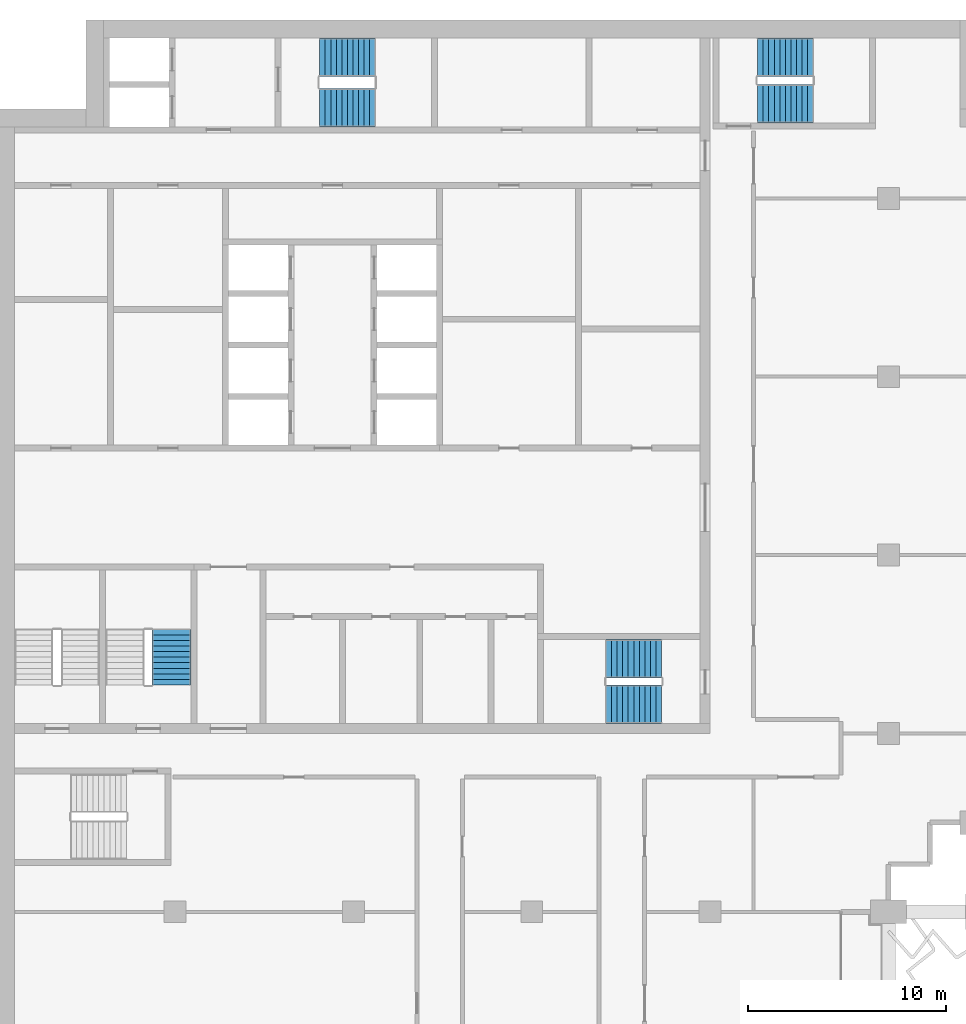
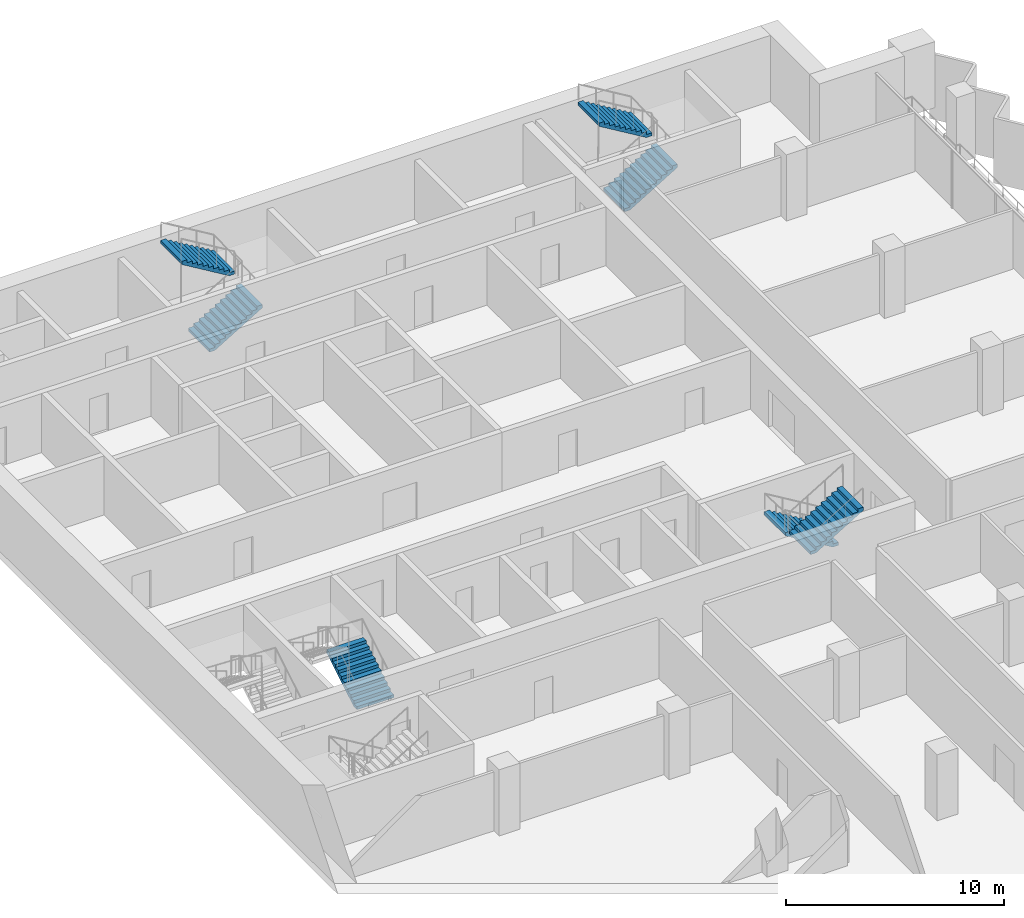
# One storey, part 13 of 17: 7 stair flights, 4 elements without a shape of their own.
"""IFC4 building model written with IfcOpenShell, lengths in metres."""

from ifc_helpers import new_model, si_unit, direction, frame, origin, place, context, subcontext, project, spatial, polyline, outline, extrude, material, type_object, element, aggregate, save


model = new_model("IFC4")

# Units and contexts
model_context = context("Model", 3, precision=1e-05, world=origin(), true_north=direction((0.0, 1.0)))
body_context = subcontext(model_context, "Body", "Model", "MODEL_VIEW")
ifc_project = project(units=[si_unit("LENGTHUNIT", "METRE"), si_unit("AREAUNIT", "SQUARE_METRE"), si_unit("VOLUMEUNIT", "CUBIC_METRE"), si_unit("PLANEANGLEUNIT", "RADIAN"), si_unit("MASSUNIT", "GRAM", prefix="KILO")], contexts=[model_context])

# Site, building, storey
site_placement = place(None, origin())
site = spatial("IfcSite", under=ifc_project, at=site_placement, CompositionType="ELEMENT")
building_placement = place(site_placement, origin())
building = spatial("IfcBuilding", under=site, at=building_placement, Name="Hunhe Ridgeline Campus", CompositionType="ELEMENT")
storey_placement = place(building_placement, frame((0.0, 0.0, 208.699951171875)))
storey = spatial("IfcBuildingStorey", under=building, at=storey_placement, Name="L53", CompositionType="ELEMENT", Elevation=208.699951171875)

# Stair, stair flights
ifc_material = material(Name="Concrete C40", Category="concrete")
stair_type = type_object("IfcStairType", Name="Reinforced concrete dog-leg stair 1950 Concrete C40", PredefinedType="HALF_TURN_STAIR", material=ifc_material)
stair_1_placement = place(storey_placement, origin())
stair_1 = element("IfcStair", 1, at=stair_1_placement, inside=storey, type_object=stair_type, Name="L53 S1", PredefinedType="HALF_TURN_STAIR")
stair_flight_type = type_object("IfcStairFlightType", Name="Reinforced concrete stair flight 1950 Concrete C40", PredefinedType="STRAIGHT", material=ifc_material)
stair_flight_1_placement = place(storey_placement, frame((16.300048828125, 94.574951171875, 0.0), z_axis=(0.0, 0.0, 1.0), x_axis=(1.0, 0.0, 0.0)))
stair_flight_1 = element("IfcStairFlight", 2, at=stair_flight_1_placement, type_object=stair_flight_type, Name="ST1 flight 1", NumberOfRisers=11, NumberOfTreads=10, PredefinedType="STRAIGHT", RiserHeight=0.168181818, TreadLength=0.28, context=body_context, shape_type="SweptSolid", body=[
    extrude(outline(polyline([(0.0, 0.0), (0.0, 0.168212890625), (0.280029296875, 0.168212890625), (0.280029296875, 0.33642578125), (0.56005859375, 0.33642578125), (0.56005859375, 0.504638671875), (0.840087890625, 0.504638671875), (0.840087890625, 0.672607421875), (1.1201171875, 0.672607421875), (1.1201171875, 0.8408203125), (1.39990234375, 0.8408203125), (1.39990234375, 1.009033203125), (1.679931640625, 1.009033203125), (1.679931640625, 1.17724609375), (1.9599609375, 1.17724609375), (1.9599609375, 1.345458984375), (2.239990234375, 1.345458984375), (2.239990234375, 1.513671875), (2.52001953125, 1.513671875), (2.52001953125, 1.681884765625), (2.800048828125, 1.681884765625), (2.800048828125, 1.85009765625), (2.800048828125, 1.5068359375), (0.291015625, 0.0), (0.0, 0.0)])), frame((0.0, 0.97509765625, 0.0), z_axis=(0.0, -1.0, 0.0), x_axis=(1.0, 0.0, 0.0)), (0.0, 0.0, 1.0), 1.949951171875),
    extrude(outline(polyline([(0.030029296875, 0.030029296875), (0.030029296875, 0.13818359375), (0.31005859375, 0.13818359375), (0.31005859375, 0.306396484375), (0.590087890625, 0.306396484375), (0.590087890625, 0.474609375), (0.8701171875, 0.474609375), (0.8701171875, 0.642578125), (1.14990234375, 0.642578125), (1.14990234375, 0.810791015625), (1.429931640625, 0.810791015625), (1.429931640625, 0.97900390625), (1.7099609375, 0.97900390625), (1.7099609375, 1.147216796875), (1.989990234375, 1.147216796875), (1.989990234375, 1.3154296875), (2.27001953125, 1.3154296875), (2.27001953125, 1.483642578125), (2.550048828125, 1.483642578125), (2.550048828125, 1.65185546875), (2.77001953125, 1.65185546875), (2.77001953125, 1.52392578125), (0.28271484375, 0.030029296875), (0.030029296875, 0.030029296875)])), frame((0.0, -0.070068359375, 0.0), z_axis=(0.0, -1.0, 0.0), x_axis=(1.0, 0.0, 0.0)), (0.0, 0.0, 1.0), 0.019775390625),
    extrude(outline(polyline([(0.030029296875, 0.030029296875), (0.030029296875, 0.13818359375), (0.31005859375, 0.13818359375), (0.31005859375, 0.306396484375), (0.590087890625, 0.306396484375), (0.590087890625, 0.474609375), (0.8701171875, 0.474609375), (0.8701171875, 0.642578125), (1.14990234375, 0.642578125), (1.14990234375, 0.810791015625), (1.429931640625, 0.810791015625), (1.429931640625, 0.97900390625), (1.7099609375, 0.97900390625), (1.7099609375, 1.147216796875), (1.989990234375, 1.147216796875), (1.989990234375, 1.3154296875), (2.27001953125, 1.3154296875), (2.27001953125, 1.483642578125), (2.550048828125, 1.483642578125), (2.550048828125, 1.65185546875), (2.77001953125, 1.65185546875), (2.77001953125, 1.52392578125), (0.28271484375, 0.030029296875), (0.030029296875, 0.030029296875)])), frame((0.0, 0.010009765625, 0.0), z_axis=(0.0, -1.0, 0.0), x_axis=(1.0, 0.0, 0.0)), (0.0, 0.0, 1.0), 0.019775390625),
    extrude(outline(polyline([(0.030029296875, 0.030029296875), (0.030029296875, 0.13818359375), (0.31005859375, 0.13818359375), (0.31005859375, 0.306396484375), (0.590087890625, 0.306396484375), (0.590087890625, 0.474609375), (0.8701171875, 0.474609375), (0.8701171875, 0.642578125), (1.14990234375, 0.642578125), (1.14990234375, 0.810791015625), (1.429931640625, 0.810791015625), (1.429931640625, 0.97900390625), (1.7099609375, 0.97900390625), (1.7099609375, 1.147216796875), (1.989990234375, 1.147216796875), (1.989990234375, 1.3154296875), (2.27001953125, 1.3154296875), (2.27001953125, 1.483642578125), (2.550048828125, 1.483642578125), (2.550048828125, 1.65185546875), (2.77001953125, 1.65185546875), (2.77001953125, 1.52392578125), (0.28271484375, 0.030029296875), (0.030029296875, 0.030029296875)])), frame((0.0, 0.090087890625, 0.0), z_axis=(0.0, -1.0, 0.0), x_axis=(1.0, 0.0, 0.0)), (0.0, 0.0, 1.0), 0.019775390625),
])
stair_flight_2_placement = place(storey_placement, frame((19.10009765625, 97.125, 1.85009765625), z_axis=(0.0, 0.0, 1.0), x_axis=(-1.0, 0.0, 0.0)))
stair_flight_2 = element("IfcStairFlight", 3, at=stair_flight_2_placement, type_object=stair_flight_type, Name="ST1 flight 2", NumberOfRisers=11, NumberOfTreads=10, PredefinedType="STRAIGHT", RiserHeight=0.168181818, TreadLength=0.28, context=body_context, shape_type="SweptSolid", body=[
    extrude(outline(polyline([(0.0, 0.0), (0.0, 0.168212890625), (0.280029296875, 0.168212890625), (0.280029296875, 0.33642578125), (0.56005859375, 0.33642578125), (0.56005859375, 0.504638671875), (0.840087890625, 0.504638671875), (0.840087890625, 0.672607421875), (1.1201171875, 0.672607421875), (1.1201171875, 0.8408203125), (1.39990234375, 0.8408203125), (1.39990234375, 1.009033203125), (1.679931640625, 1.009033203125), (1.679931640625, 1.17724609375), (1.9599609375, 1.17724609375), (1.9599609375, 1.345458984375), (2.239990234375, 1.345458984375), (2.239990234375, 1.513671875), (2.52001953125, 1.513671875), (2.52001953125, 1.681884765625), (2.800048828125, 1.681884765625), (2.800048828125, 1.85009765625), (2.800048828125, 1.5068359375), (0.291015625, 0.0), (0.0, 0.0)])), frame((0.0, 0.97509765625, 0.0), z_axis=(0.0, -1.0, 0.0), x_axis=(1.0, 0.0, 0.0)), (0.0, 0.0, 1.0), 1.949951171875),
    extrude(outline(polyline([(0.030029296875, 0.030029296875), (0.030029296875, 0.13818359375), (0.31005859375, 0.13818359375), (0.31005859375, 0.306396484375), (0.590087890625, 0.306396484375), (0.590087890625, 0.474609375), (0.8701171875, 0.474609375), (0.8701171875, 0.642578125), (1.14990234375, 0.642578125), (1.14990234375, 0.810791015625), (1.429931640625, 0.810791015625), (1.429931640625, 0.97900390625), (1.7099609375, 0.97900390625), (1.7099609375, 1.147216796875), (1.989990234375, 1.147216796875), (1.989990234375, 1.3154296875), (2.27001953125, 1.3154296875), (2.27001953125, 1.483642578125), (2.550048828125, 1.483642578125), (2.550048828125, 1.65185546875), (2.77001953125, 1.65185546875), (2.77001953125, 1.52392578125), (0.28271484375, 0.030029296875), (0.030029296875, 0.030029296875)])), frame((0.0, -0.070068359375, 0.0), z_axis=(0.0, -1.0, 0.0), x_axis=(1.0, 0.0, 0.0)), (0.0, 0.0, 1.0), 0.019775390625),
    extrude(outline(polyline([(0.030029296875, 0.030029296875), (0.030029296875, 0.13818359375), (0.31005859375, 0.13818359375), (0.31005859375, 0.306396484375), (0.590087890625, 0.306396484375), (0.590087890625, 0.474609375), (0.8701171875, 0.474609375), (0.8701171875, 0.642578125), (1.14990234375, 0.642578125), (1.14990234375, 0.810791015625), (1.429931640625, 0.810791015625), (1.429931640625, 0.97900390625), (1.7099609375, 0.97900390625), (1.7099609375, 1.147216796875), (1.989990234375, 1.147216796875), (1.989990234375, 1.3154296875), (2.27001953125, 1.3154296875), (2.27001953125, 1.483642578125), (2.550048828125, 1.483642578125), (2.550048828125, 1.65185546875), (2.77001953125, 1.65185546875), (2.77001953125, 1.52392578125), (0.28271484375, 0.030029296875), (0.030029296875, 0.030029296875)])), frame((0.0, 0.010009765625, 0.0), z_axis=(0.0, -1.0, 0.0), x_axis=(1.0, 0.0, 0.0)), (0.0, 0.0, 1.0), 0.019775390625),
    extrude(outline(polyline([(0.030029296875, 0.030029296875), (0.030029296875, 0.13818359375), (0.31005859375, 0.13818359375), (0.31005859375, 0.306396484375), (0.590087890625, 0.306396484375), (0.590087890625, 0.474609375), (0.8701171875, 0.474609375), (0.8701171875, 0.642578125), (1.14990234375, 0.642578125), (1.14990234375, 0.810791015625), (1.429931640625, 0.810791015625), (1.429931640625, 0.97900390625), (1.7099609375, 0.97900390625), (1.7099609375, 1.147216796875), (1.989990234375, 1.147216796875), (1.989990234375, 1.3154296875), (2.27001953125, 1.3154296875), (2.27001953125, 1.483642578125), (2.550048828125, 1.483642578125), (2.550048828125, 1.65185546875), (2.77001953125, 1.65185546875), (2.77001953125, 1.52392578125), (0.28271484375, 0.030029296875), (0.030029296875, 0.030029296875)])), frame((0.0, 0.090087890625, 0.0), z_axis=(0.0, -1.0, 0.0), x_axis=(1.0, 0.0, 0.0)), (0.0, 0.0, 1.0), 0.019775390625),
])
aggregate(stair_1, [stair_flight_1, stair_flight_2])

stair_2_placement = place(storey_placement, origin())
stair_2 = element("IfcStair", 4, at=stair_2_placement, inside=storey, type_object=stair_type, Name="L53 S2", PredefinedType="HALF_TURN_STAIR")
stair_flight_3_placement = place(storey_placement, frame((33.550048828125, 66.77490234375, 0.0), z_axis=(0.0, 0.0, 1.0), x_axis=(-1.0, 0.0, 0.0)))
stair_flight_3 = element("IfcStairFlight", 5, at=stair_flight_3_placement, type_object=stair_flight_type, Name="ST2 flight 1", NumberOfRisers=11, NumberOfTreads=10, PredefinedType="STRAIGHT", RiserHeight=0.168181818, TreadLength=0.28, context=body_context, shape_type="SweptSolid", body=[
    extrude(outline(polyline([(0.0, 0.0), (0.0, 0.168212890625), (0.280029296875, 0.168212890625), (0.280029296875, 0.33642578125), (0.56005859375, 0.33642578125), (0.56005859375, 0.504638671875), (0.840087890625, 0.504638671875), (0.840087890625, 0.672607421875), (1.1201171875, 0.672607421875), (1.1201171875, 0.8408203125), (1.39990234375, 0.8408203125), (1.39990234375, 1.009033203125), (1.679931640625, 1.009033203125), (1.679931640625, 1.17724609375), (1.9599609375, 1.17724609375), (1.9599609375, 1.345458984375), (2.239990234375, 1.345458984375), (2.239990234375, 1.513671875), (2.52001953125, 1.513671875), (2.52001953125, 1.681884765625), (2.800048828125, 1.681884765625), (2.800048828125, 1.85009765625), (2.800048828125, 1.5068359375), (0.291015625, 0.0), (0.0, 0.0)])), frame((0.0, 0.97509765625, 0.0), z_axis=(0.0, -1.0, 0.0), x_axis=(1.0, 0.0, 0.0)), (0.0, 0.0, 1.0), 1.949951171875),
    extrude(outline(polyline([(0.030029296875, 0.030029296875), (0.030029296875, 0.13818359375), (0.31005859375, 0.13818359375), (0.31005859375, 0.306396484375), (0.590087890625, 0.306396484375), (0.590087890625, 0.474609375), (0.8701171875, 0.474609375), (0.8701171875, 0.642578125), (1.14990234375, 0.642578125), (1.14990234375, 0.810791015625), (1.429931640625, 0.810791015625), (1.429931640625, 0.97900390625), (1.7099609375, 0.97900390625), (1.7099609375, 1.147216796875), (1.989990234375, 1.147216796875), (1.989990234375, 1.3154296875), (2.27001953125, 1.3154296875), (2.27001953125, 1.483642578125), (2.550048828125, 1.483642578125), (2.550048828125, 1.65185546875), (2.77001953125, 1.65185546875), (2.77001953125, 1.52392578125), (0.28271484375, 0.030029296875), (0.030029296875, 0.030029296875)])), frame((0.0, -0.070068359375, 0.0), z_axis=(0.0, -1.0, 0.0), x_axis=(1.0, 0.0, 0.0)), (0.0, 0.0, 1.0), 0.019775390625),
    extrude(outline(polyline([(0.030029296875, 0.030029296875), (0.030029296875, 0.13818359375), (0.31005859375, 0.13818359375), (0.31005859375, 0.306396484375), (0.590087890625, 0.306396484375), (0.590087890625, 0.474609375), (0.8701171875, 0.474609375), (0.8701171875, 0.642578125), (1.14990234375, 0.642578125), (1.14990234375, 0.810791015625), (1.429931640625, 0.810791015625), (1.429931640625, 0.97900390625), (1.7099609375, 0.97900390625), (1.7099609375, 1.147216796875), (1.989990234375, 1.147216796875), (1.989990234375, 1.3154296875), (2.27001953125, 1.3154296875), (2.27001953125, 1.483642578125), (2.550048828125, 1.483642578125), (2.550048828125, 1.65185546875), (2.77001953125, 1.65185546875), (2.77001953125, 1.52392578125), (0.28271484375, 0.030029296875), (0.030029296875, 0.030029296875)])), frame((0.0, 0.010009765625, 0.0), z_axis=(0.0, -1.0, 0.0), x_axis=(1.0, 0.0, 0.0)), (0.0, 0.0, 1.0), 0.019775390625),
    extrude(outline(polyline([(0.030029296875, 0.030029296875), (0.030029296875, 0.13818359375), (0.31005859375, 0.13818359375), (0.31005859375, 0.306396484375), (0.590087890625, 0.306396484375), (0.590087890625, 0.474609375), (0.8701171875, 0.474609375), (0.8701171875, 0.642578125), (1.14990234375, 0.642578125), (1.14990234375, 0.810791015625), (1.429931640625, 0.810791015625), (1.429931640625, 0.97900390625), (1.7099609375, 0.97900390625), (1.7099609375, 1.147216796875), (1.989990234375, 1.147216796875), (1.989990234375, 1.3154296875), (2.27001953125, 1.3154296875), (2.27001953125, 1.483642578125), (2.550048828125, 1.483642578125), (2.550048828125, 1.65185546875), (2.77001953125, 1.65185546875), (2.77001953125, 1.52392578125), (0.28271484375, 0.030029296875), (0.030029296875, 0.030029296875)])), frame((0.0, 0.090087890625, 0.0), z_axis=(0.0, -1.0, 0.0), x_axis=(1.0, 0.0, 0.0)), (0.0, 0.0, 1.0), 0.019775390625),
])
stair_flight_4_placement = place(storey_placement, frame((30.75, 64.47509765625, 1.85009765625), z_axis=(0.0, 0.0, 1.0), x_axis=(1.0, 0.0, 0.0)))
stair_flight_4 = element("IfcStairFlight", 6, at=stair_flight_4_placement, type_object=stair_flight_type, Name="ST2 flight 2", NumberOfRisers=11, NumberOfTreads=10, PredefinedType="STRAIGHT", RiserHeight=0.168181818, TreadLength=0.28, context=body_context, shape_type="SweptSolid", body=[
    extrude(outline(polyline([(0.0, 0.0), (0.0, 0.168212890625), (0.280029296875, 0.168212890625), (0.280029296875, 0.33642578125), (0.56005859375, 0.33642578125), (0.56005859375, 0.504638671875), (0.840087890625, 0.504638671875), (0.840087890625, 0.672607421875), (1.1201171875, 0.672607421875), (1.1201171875, 0.8408203125), (1.39990234375, 0.8408203125), (1.39990234375, 1.009033203125), (1.679931640625, 1.009033203125), (1.679931640625, 1.17724609375), (1.9599609375, 1.17724609375), (1.9599609375, 1.345458984375), (2.239990234375, 1.345458984375), (2.239990234375, 1.513671875), (2.52001953125, 1.513671875), (2.52001953125, 1.681884765625), (2.800048828125, 1.681884765625), (2.800048828125, 1.85009765625), (2.800048828125, 1.5068359375), (0.291015625, 0.0), (0.0, 0.0)])), frame((0.0, 0.97509765625, 0.0), z_axis=(0.0, -1.0, 0.0), x_axis=(1.0, 0.0, 0.0)), (0.0, 0.0, 1.0), 1.949951171875),
    extrude(outline(polyline([(0.030029296875, 0.030029296875), (0.030029296875, 0.13818359375), (0.31005859375, 0.13818359375), (0.31005859375, 0.306396484375), (0.590087890625, 0.306396484375), (0.590087890625, 0.474609375), (0.8701171875, 0.474609375), (0.8701171875, 0.642578125), (1.14990234375, 0.642578125), (1.14990234375, 0.810791015625), (1.429931640625, 0.810791015625), (1.429931640625, 0.97900390625), (1.7099609375, 0.97900390625), (1.7099609375, 1.147216796875), (1.989990234375, 1.147216796875), (1.989990234375, 1.3154296875), (2.27001953125, 1.3154296875), (2.27001953125, 1.483642578125), (2.550048828125, 1.483642578125), (2.550048828125, 1.65185546875), (2.77001953125, 1.65185546875), (2.77001953125, 1.52392578125), (0.28271484375, 0.030029296875), (0.030029296875, 0.030029296875)])), frame((0.0, -0.070068359375, 0.0), z_axis=(0.0, -1.0, 0.0), x_axis=(1.0, 0.0, 0.0)), (0.0, 0.0, 1.0), 0.019775390625),
    extrude(outline(polyline([(0.030029296875, 0.030029296875), (0.030029296875, 0.13818359375), (0.31005859375, 0.13818359375), (0.31005859375, 0.306396484375), (0.590087890625, 0.306396484375), (0.590087890625, 0.474609375), (0.8701171875, 0.474609375), (0.8701171875, 0.642578125), (1.14990234375, 0.642578125), (1.14990234375, 0.810791015625), (1.429931640625, 0.810791015625), (1.429931640625, 0.97900390625), (1.7099609375, 0.97900390625), (1.7099609375, 1.147216796875), (1.989990234375, 1.147216796875), (1.989990234375, 1.3154296875), (2.27001953125, 1.3154296875), (2.27001953125, 1.483642578125), (2.550048828125, 1.483642578125), (2.550048828125, 1.65185546875), (2.77001953125, 1.65185546875), (2.77001953125, 1.52392578125), (0.28271484375, 0.030029296875), (0.030029296875, 0.030029296875)])), frame((0.0, 0.010009765625, 0.0), z_axis=(0.0, -1.0, 0.0), x_axis=(1.0, 0.0, 0.0)), (0.0, 0.0, 1.0), 0.019775390625),
    extrude(outline(polyline([(0.030029296875, 0.030029296875), (0.030029296875, 0.13818359375), (0.31005859375, 0.13818359375), (0.31005859375, 0.306396484375), (0.590087890625, 0.306396484375), (0.590087890625, 0.474609375), (0.8701171875, 0.474609375), (0.8701171875, 0.642578125), (1.14990234375, 0.642578125), (1.14990234375, 0.810791015625), (1.429931640625, 0.810791015625), (1.429931640625, 0.97900390625), (1.7099609375, 0.97900390625), (1.7099609375, 1.147216796875), (1.989990234375, 1.147216796875), (1.989990234375, 1.3154296875), (2.27001953125, 1.3154296875), (2.27001953125, 1.483642578125), (2.550048828125, 1.483642578125), (2.550048828125, 1.65185546875), (2.77001953125, 1.65185546875), (2.77001953125, 1.52392578125), (0.28271484375, 0.030029296875), (0.030029296875, 0.030029296875)])), frame((0.0, 0.090087890625, 0.0), z_axis=(0.0, -1.0, 0.0), x_axis=(1.0, 0.0, 0.0)), (0.0, 0.0, 1.0), 0.019775390625),
])
aggregate(stair_2, [stair_flight_3, stair_flight_4])

# Stair, stair flight
stair_3_placement = place(storey_placement, origin())
stair_3 = element("IfcStair", 7, at=stair_3_placement, inside=storey, type_object=stair_type, Name="L53 S4", PredefinedType="HALF_TURN_STAIR")
stair_flight_5_placement = place(storey_placement, frame((8.824951171875, 65.449951171875, 0.0), z_axis=(0.0, 0.0, 1.0), x_axis=(0.0, 1.0, 0.0)))
stair_flight_5 = element("IfcStairFlight", 8, at=stair_flight_5_placement, type_object=stair_flight_type, Name="ST4 flight 1", NumberOfRisers=11, NumberOfTreads=10, PredefinedType="STRAIGHT", RiserHeight=0.168181818, TreadLength=0.28, context=body_context, shape_type="SweptSolid", body=[
    extrude(outline(polyline([(0.0, 0.0), (0.0, 0.168212890625), (0.280029296875, 0.168212890625), (0.280029296875, 0.33642578125), (0.56005859375, 0.33642578125), (0.56005859375, 0.504638671875), (0.840087890625, 0.504638671875), (0.840087890625, 0.672607421875), (1.1201171875, 0.672607421875), (1.1201171875, 0.8408203125), (1.39990234375, 0.8408203125), (1.39990234375, 1.009033203125), (1.679931640625, 1.009033203125), (1.679931640625, 1.17724609375), (1.9599609375, 1.17724609375), (1.9599609375, 1.345458984375), (2.239990234375, 1.345458984375), (2.239990234375, 1.513671875), (2.52001953125, 1.513671875), (2.52001953125, 1.681884765625), (2.800048828125, 1.681884765625), (2.800048828125, 1.85009765625), (2.800048828125, 1.5068359375), (0.291015625, 0.0), (0.0, 0.0)])), frame((0.0, 0.97509765625, 0.0), z_axis=(0.0, -1.0, 0.0), x_axis=(1.0, 0.0, 0.0)), (0.0, 0.0, 1.0), 1.949951171875),
    extrude(outline(polyline([(0.030029296875, 0.030029296875), (0.030029296875, 0.13818359375), (0.31005859375, 0.13818359375), (0.31005859375, 0.306396484375), (0.590087890625, 0.306396484375), (0.590087890625, 0.474609375), (0.8701171875, 0.474609375), (0.8701171875, 0.642578125), (1.14990234375, 0.642578125), (1.14990234375, 0.810791015625), (1.429931640625, 0.810791015625), (1.429931640625, 0.97900390625), (1.7099609375, 0.97900390625), (1.7099609375, 1.147216796875), (1.989990234375, 1.147216796875), (1.989990234375, 1.3154296875), (2.27001953125, 1.3154296875), (2.27001953125, 1.483642578125), (2.550048828125, 1.483642578125), (2.550048828125, 1.65185546875), (2.77001953125, 1.65185546875), (2.77001953125, 1.52392578125), (0.28271484375, 0.030029296875), (0.030029296875, 0.030029296875)])), frame((0.0, -0.070068359375, 0.0), z_axis=(0.0, -1.0, 0.0), x_axis=(1.0, 0.0, 0.0)), (0.0, 0.0, 1.0), 0.019775390625),
    extrude(outline(polyline([(0.030029296875, 0.030029296875), (0.030029296875, 0.13818359375), (0.31005859375, 0.13818359375), (0.31005859375, 0.306396484375), (0.590087890625, 0.306396484375), (0.590087890625, 0.474609375), (0.8701171875, 0.474609375), (0.8701171875, 0.642578125), (1.14990234375, 0.642578125), (1.14990234375, 0.810791015625), (1.429931640625, 0.810791015625), (1.429931640625, 0.97900390625), (1.7099609375, 0.97900390625), (1.7099609375, 1.147216796875), (1.989990234375, 1.147216796875), (1.989990234375, 1.3154296875), (2.27001953125, 1.3154296875), (2.27001953125, 1.483642578125), (2.550048828125, 1.483642578125), (2.550048828125, 1.65185546875), (2.77001953125, 1.65185546875), (2.77001953125, 1.52392578125), (0.28271484375, 0.030029296875), (0.030029296875, 0.030029296875)])), frame((0.0, 0.010009765625, 0.0), z_axis=(0.0, -1.0, 0.0), x_axis=(1.0, 0.0, 0.0)), (0.0, 0.0, 1.0), 0.019775390625),
    extrude(outline(polyline([(0.030029296875, 0.030029296875), (0.030029296875, 0.13818359375), (0.31005859375, 0.13818359375), (0.31005859375, 0.306396484375), (0.590087890625, 0.306396484375), (0.590087890625, 0.474609375), (0.8701171875, 0.474609375), (0.8701171875, 0.642578125), (1.14990234375, 0.642578125), (1.14990234375, 0.810791015625), (1.429931640625, 0.810791015625), (1.429931640625, 0.97900390625), (1.7099609375, 0.97900390625), (1.7099609375, 1.147216796875), (1.989990234375, 1.147216796875), (1.989990234375, 1.3154296875), (2.27001953125, 1.3154296875), (2.27001953125, 1.483642578125), (2.550048828125, 1.483642578125), (2.550048828125, 1.65185546875), (2.77001953125, 1.65185546875), (2.77001953125, 1.52392578125), (0.28271484375, 0.030029296875), (0.030029296875, 0.030029296875)])), frame((0.0, 0.090087890625, 0.0), z_axis=(0.0, -1.0, 0.0), x_axis=(1.0, 0.0, 0.0)), (0.0, 0.0, 1.0), 0.019775390625),
])
aggregate(stair_3, [stair_flight_5])

# Stair, stair flights
stair_4_placement = place(storey_placement, origin())
stair_4 = element("IfcStair", 9, at=stair_4_placement, inside=storey, type_object=stair_type, Name="L53 E1", PredefinedType="HALF_TURN_STAIR")
stair_flight_6_placement = place(storey_placement, frame((38.39990234375, 94.77490234375, 0.0), z_axis=(0.0, 0.0, 1.0), x_axis=(1.0, 0.0, 0.0)))
stair_flight_6 = element("IfcStairFlight", 10, at=stair_flight_6_placement, type_object=stair_flight_type, Name="ST5 flight 1", NumberOfRisers=11, NumberOfTreads=10, PredefinedType="STRAIGHT", RiserHeight=0.168181818, TreadLength=0.28, context=body_context, shape_type="SweptSolid", body=[
    extrude(outline(polyline([(0.0, 0.0), (0.0, 0.168212890625), (0.280029296875, 0.168212890625), (0.280029296875, 0.33642578125), (0.56005859375, 0.33642578125), (0.56005859375, 0.504638671875), (0.840087890625, 0.504638671875), (0.840087890625, 0.672607421875), (1.1201171875, 0.672607421875), (1.1201171875, 0.8408203125), (1.39990234375, 0.8408203125), (1.39990234375, 1.009033203125), (1.679931640625, 1.009033203125), (1.679931640625, 1.17724609375), (1.9599609375, 1.17724609375), (1.9599609375, 1.345458984375), (2.239990234375, 1.345458984375), (2.239990234375, 1.513671875), (2.52001953125, 1.513671875), (2.52001953125, 1.681884765625), (2.800048828125, 1.681884765625), (2.800048828125, 1.85009765625), (2.800048828125, 1.5068359375), (0.291015625, 0.0), (0.0, 0.0)])), frame((0.0, 0.97509765625, 0.0), z_axis=(0.0, -1.0, 0.0), x_axis=(1.0, 0.0, 0.0)), (0.0, 0.0, 1.0), 1.949951171875),
    extrude(outline(polyline([(0.030029296875, 0.030029296875), (0.030029296875, 0.13818359375), (0.31005859375, 0.13818359375), (0.31005859375, 0.306396484375), (0.590087890625, 0.306396484375), (0.590087890625, 0.474609375), (0.8701171875, 0.474609375), (0.8701171875, 0.642578125), (1.14990234375, 0.642578125), (1.14990234375, 0.810791015625), (1.429931640625, 0.810791015625), (1.429931640625, 0.97900390625), (1.7099609375, 0.97900390625), (1.7099609375, 1.147216796875), (1.989990234375, 1.147216796875), (1.989990234375, 1.3154296875), (2.27001953125, 1.3154296875), (2.27001953125, 1.483642578125), (2.550048828125, 1.483642578125), (2.550048828125, 1.65185546875), (2.77001953125, 1.65185546875), (2.77001953125, 1.52392578125), (0.28271484375, 0.030029296875), (0.030029296875, 0.030029296875)])), frame((0.0, -0.070068359375, 0.0), z_axis=(0.0, -1.0, 0.0), x_axis=(1.0, 0.0, 0.0)), (0.0, 0.0, 1.0), 0.019775390625),
    extrude(outline(polyline([(0.030029296875, 0.030029296875), (0.030029296875, 0.13818359375), (0.31005859375, 0.13818359375), (0.31005859375, 0.306396484375), (0.590087890625, 0.306396484375), (0.590087890625, 0.474609375), (0.8701171875, 0.474609375), (0.8701171875, 0.642578125), (1.14990234375, 0.642578125), (1.14990234375, 0.810791015625), (1.429931640625, 0.810791015625), (1.429931640625, 0.97900390625), (1.7099609375, 0.97900390625), (1.7099609375, 1.147216796875), (1.989990234375, 1.147216796875), (1.989990234375, 1.3154296875), (2.27001953125, 1.3154296875), (2.27001953125, 1.483642578125), (2.550048828125, 1.483642578125), (2.550048828125, 1.65185546875), (2.77001953125, 1.65185546875), (2.77001953125, 1.52392578125), (0.28271484375, 0.030029296875), (0.030029296875, 0.030029296875)])), frame((0.0, 0.010009765625, 0.0), z_axis=(0.0, -1.0, 0.0), x_axis=(1.0, 0.0, 0.0)), (0.0, 0.0, 1.0), 0.019775390625),
    extrude(outline(polyline([(0.030029296875, 0.030029296875), (0.030029296875, 0.13818359375), (0.31005859375, 0.13818359375), (0.31005859375, 0.306396484375), (0.590087890625, 0.306396484375), (0.590087890625, 0.474609375), (0.8701171875, 0.474609375), (0.8701171875, 0.642578125), (1.14990234375, 0.642578125), (1.14990234375, 0.810791015625), (1.429931640625, 0.810791015625), (1.429931640625, 0.97900390625), (1.7099609375, 0.97900390625), (1.7099609375, 1.147216796875), (1.989990234375, 1.147216796875), (1.989990234375, 1.3154296875), (2.27001953125, 1.3154296875), (2.27001953125, 1.483642578125), (2.550048828125, 1.483642578125), (2.550048828125, 1.65185546875), (2.77001953125, 1.65185546875), (2.77001953125, 1.52392578125), (0.28271484375, 0.030029296875), (0.030029296875, 0.030029296875)])), frame((0.0, 0.090087890625, 0.0), z_axis=(0.0, -1.0, 0.0), x_axis=(1.0, 0.0, 0.0)), (0.0, 0.0, 1.0), 0.019775390625),
])
stair_flight_7_placement = place(storey_placement, frame((41.199951171875, 97.125, 1.85009765625), z_axis=(0.0, 0.0, 1.0), x_axis=(-1.0, 0.0, 0.0)))
stair_flight_7 = element("IfcStairFlight", 11, at=stair_flight_7_placement, type_object=stair_flight_type, Name="ST5 flight 2", NumberOfRisers=11, NumberOfTreads=10, PredefinedType="STRAIGHT", RiserHeight=0.168181818, TreadLength=0.28, context=body_context, shape_type="SweptSolid", body=[
    extrude(outline(polyline([(0.0, 0.0), (0.0, 0.168212890625), (0.280029296875, 0.168212890625), (0.280029296875, 0.33642578125), (0.56005859375, 0.33642578125), (0.56005859375, 0.504638671875), (0.840087890625, 0.504638671875), (0.840087890625, 0.672607421875), (1.1201171875, 0.672607421875), (1.1201171875, 0.8408203125), (1.39990234375, 0.8408203125), (1.39990234375, 1.009033203125), (1.679931640625, 1.009033203125), (1.679931640625, 1.17724609375), (1.9599609375, 1.17724609375), (1.9599609375, 1.345458984375), (2.239990234375, 1.345458984375), (2.239990234375, 1.513671875), (2.52001953125, 1.513671875), (2.52001953125, 1.681884765625), (2.800048828125, 1.681884765625), (2.800048828125, 1.85009765625), (2.800048828125, 1.5068359375), (0.291015625, 0.0), (0.0, 0.0)])), frame((0.0, 0.97509765625, 0.0), z_axis=(0.0, -1.0, 0.0), x_axis=(1.0, 0.0, 0.0)), (0.0, 0.0, 1.0), 1.949951171875),
    extrude(outline(polyline([(0.030029296875, 0.030029296875), (0.030029296875, 0.13818359375), (0.31005859375, 0.13818359375), (0.31005859375, 0.306396484375), (0.590087890625, 0.306396484375), (0.590087890625, 0.474609375), (0.8701171875, 0.474609375), (0.8701171875, 0.642578125), (1.14990234375, 0.642578125), (1.14990234375, 0.810791015625), (1.429931640625, 0.810791015625), (1.429931640625, 0.97900390625), (1.7099609375, 0.97900390625), (1.7099609375, 1.147216796875), (1.989990234375, 1.147216796875), (1.989990234375, 1.3154296875), (2.27001953125, 1.3154296875), (2.27001953125, 1.483642578125), (2.550048828125, 1.483642578125), (2.550048828125, 1.65185546875), (2.77001953125, 1.65185546875), (2.77001953125, 1.52392578125), (0.28271484375, 0.030029296875), (0.030029296875, 0.030029296875)])), frame((0.0, -0.070068359375, 0.0), z_axis=(0.0, -1.0, 0.0), x_axis=(1.0, 0.0, 0.0)), (0.0, 0.0, 1.0), 0.019775390625),
    extrude(outline(polyline([(0.030029296875, 0.030029296875), (0.030029296875, 0.13818359375), (0.31005859375, 0.13818359375), (0.31005859375, 0.306396484375), (0.590087890625, 0.306396484375), (0.590087890625, 0.474609375), (0.8701171875, 0.474609375), (0.8701171875, 0.642578125), (1.14990234375, 0.642578125), (1.14990234375, 0.810791015625), (1.429931640625, 0.810791015625), (1.429931640625, 0.97900390625), (1.7099609375, 0.97900390625), (1.7099609375, 1.147216796875), (1.989990234375, 1.147216796875), (1.989990234375, 1.3154296875), (2.27001953125, 1.3154296875), (2.27001953125, 1.483642578125), (2.550048828125, 1.483642578125), (2.550048828125, 1.65185546875), (2.77001953125, 1.65185546875), (2.77001953125, 1.52392578125), (0.28271484375, 0.030029296875), (0.030029296875, 0.030029296875)])), frame((0.0, 0.010009765625, 0.0), z_axis=(0.0, -1.0, 0.0), x_axis=(1.0, 0.0, 0.0)), (0.0, 0.0, 1.0), 0.019775390625),
    extrude(outline(polyline([(0.030029296875, 0.030029296875), (0.030029296875, 0.13818359375), (0.31005859375, 0.13818359375), (0.31005859375, 0.306396484375), (0.590087890625, 0.306396484375), (0.590087890625, 0.474609375), (0.8701171875, 0.474609375), (0.8701171875, 0.642578125), (1.14990234375, 0.642578125), (1.14990234375, 0.810791015625), (1.429931640625, 0.810791015625), (1.429931640625, 0.97900390625), (1.7099609375, 0.97900390625), (1.7099609375, 1.147216796875), (1.989990234375, 1.147216796875), (1.989990234375, 1.3154296875), (2.27001953125, 1.3154296875), (2.27001953125, 1.483642578125), (2.550048828125, 1.483642578125), (2.550048828125, 1.65185546875), (2.77001953125, 1.65185546875), (2.77001953125, 1.52392578125), (0.28271484375, 0.030029296875), (0.030029296875, 0.030029296875)])), frame((0.0, 0.090087890625, 0.0), z_axis=(0.0, -1.0, 0.0), x_axis=(1.0, 0.0, 0.0)), (0.0, 0.0, 1.0), 0.019775390625),
])
aggregate(stair_4, [stair_flight_6, stair_flight_7])

save(model, "model.ifc")
